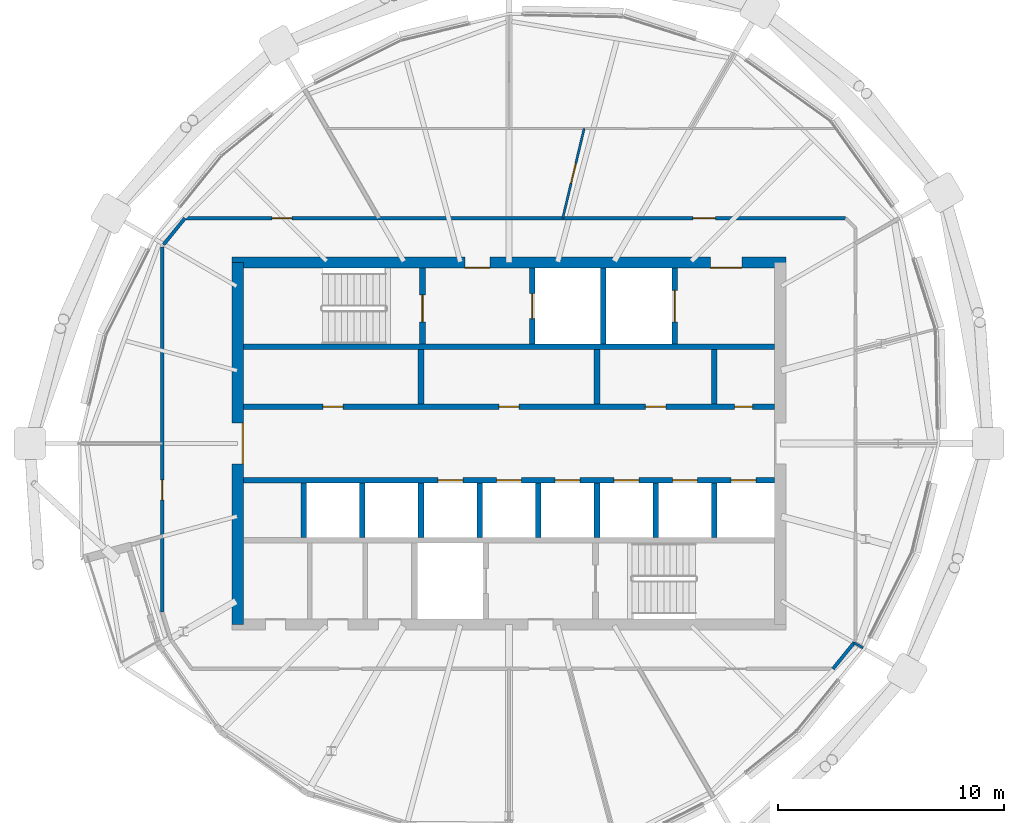
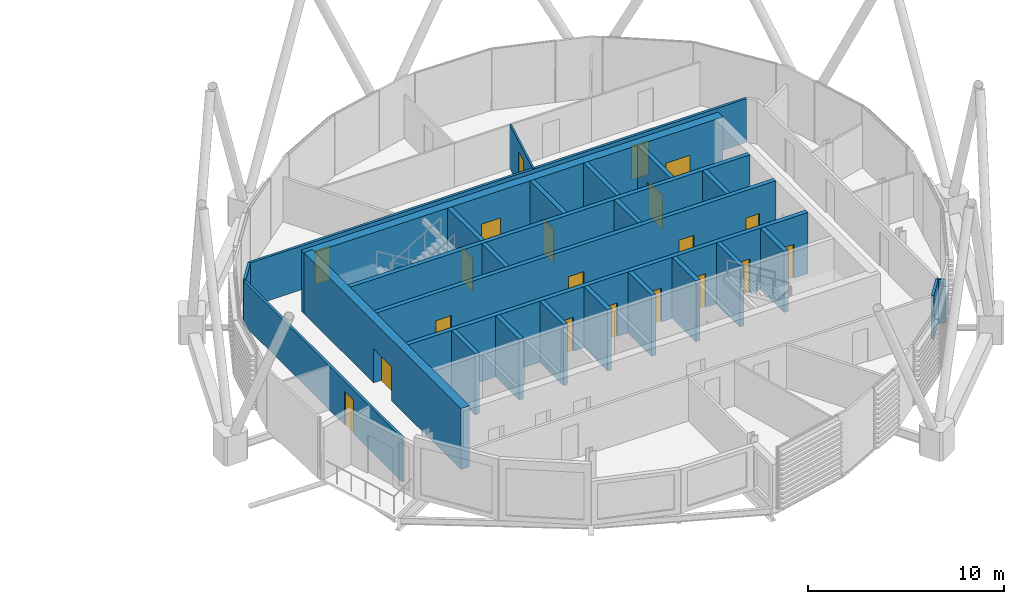
# One storey, part 22 of 31: 26 walls, 20 doors, 20 openings.
"""IFC4 building model written with IfcOpenShell, lengths in metres."""

from ifc_helpers import new_model, si_unit, direction, frame, frame_2d, origin, place, context, subcontext, project, spatial, rectangle, extrude, material, layer, layer_set, type_object, element, fill, save


model = new_model("IFC4")

# Units and contexts
model_context = context("Model", 3, precision=1e-05, world=origin(), true_north=direction((0.0, 1.0)))
body_context = subcontext(model_context, "Body", "Model", "MODEL_VIEW")
ifc_project = project(units=[si_unit("LENGTHUNIT", "METRE"), si_unit("AREAUNIT", "SQUARE_METRE"), si_unit("VOLUMEUNIT", "CUBIC_METRE"), si_unit("PLANEANGLEUNIT", "RADIAN"), si_unit("MASSUNIT", "GRAM", prefix="KILO")], contexts=[model_context])

# Site, building, storey
site_placement = place(None, origin())
site = spatial("IfcSite", under=ifc_project, at=site_placement, CompositionType="ELEMENT")
building_placement = place(site_placement, origin())
building = spatial("IfcBuilding", under=site, at=building_placement, Name="Rimbun Link Towers", CompositionType="ELEMENT")
storey_placement = place(building_placement, frame((0.0, 0.0, 244.699951171875)))
storey = spatial("IfcBuildingStorey", under=building, at=storey_placement, Name="L60", CompositionType="ELEMENT", Elevation=244.699951171875)

# Wall, openings, doors
ifc_material_1 = material(Name="Concrete C60/75", Category="concrete")
ifc_layer_1 = layer(ifc_material_1, 0.5)
ifc_layer_set_1 = layer_set([ifc_layer_1], Name="Core shear wall 500")
wall_type_1 = type_object("IfcWallType", Name="Core shear wall 500", PredefinedType="SHEAR", material=ifc_layer_set_1)
wall_1_placement = place(storey_placement, frame((19.5, 8.0, 0.0), z_axis=(0.0, 0.0, 1.0), x_axis=(1.0, 0.0, 0.0)))
wall_1 = element("IfcWall", 1, at=wall_1_placement, inside=storey, type_object=wall_type_1, Name="L60 T2 core wall N", PredefinedType="SHEAR", context=body_context, shape_type="SweptSolid", body=[
    extrude(rectangle(XDim=24.5, YDim=0.5, at=frame_2d((12.25, 0.0))), origin(), (0.0, 0.0, 1.0), 3.800048828125),
])
opening_1_placement = place(wall_1_placement, frame((10.300048828125, 0.0, 0.0)))
opening_1 = element("IfcOpeningElement", 2, at=opening_1_placement, cuts=wall_1, Name="Opening C2DCF01N", PredefinedType="OPENING", context=body_context, shape_type="SweptSolid", body=[
    extrude(rectangle(XDim=1.10009765625, YDim=2.10009765625, at=frame_2d((0.550048828125, 1.050048828125))), frame((0.0, 0.260009765625, 0.0), z_axis=(0.0, -1.0, 0.0), x_axis=(1.0, 0.0, 0.0)), (0.0, 0.0, 1.0), 0.52001953125),
])
opening_2_placement = place(wall_1_placement, frame((21.14990234375, 0.0, 0.0)))
opening_2 = element("IfcOpeningElement", 3, at=opening_2_placement, cuts=wall_1, Name="Opening C2DSL02N", PredefinedType="OPENING", context=body_context, shape_type="SweptSolid", body=[
    extrude(rectangle(XDim=1.39990234375, YDim=2.10009765625, at=frame_2d((0.699951171875, 1.050048828125))), frame((0.0, 0.260009765625, 0.0), z_axis=(0.0, -1.0, 0.0), x_axis=(1.0, 0.0, 0.0)), (0.0, 0.0, 1.0), 0.52001953125),
])
ifc_material_2 = material(Name="Steel fire door set", Category="steel")
door_type_1 = type_object("IfcDoorType", Name="Core fire door single", OperationType="SINGLE_SWING_LEFT", PredefinedType="DOOR", material=ifc_material_2)
door_1_placement = place(opening_1_placement, origin())
door_1 = element("IfcDoor", 4, at=door_1_placement, inside=storey, type_object=door_type_1, Name="L60 T2 firefighting lobby n door", OperationType="SINGLE_SWING_RIGHT", OverallHeight=2.10009765625, OverallWidth=1.10009765625, PredefinedType="DOOR", context=body_context, shape_type="SweptSolid", body=[
    extrude(rectangle(XDim=1.10009765625, YDim=2.10009765625, at=frame_2d((0.550048828125, 1.050048828125))), frame((0.0, -0.2001953125, 0.0), z_axis=(0.0, -1.0, 0.0), x_axis=(1.0, 0.0, 0.0)), (0.0, 0.0, 1.0), 0.050048828125),
])
fill(opening_1, door_1)
ifc_material_3 = material(Name="Steel fire door set", Category="steel")
door_type_2 = type_object("IfcDoorType", Name="Service lobby door double", OperationType="DOUBLE_DOOR_SINGLE_SWING", PredefinedType="DOOR", material=ifc_material_3)
door_2_placement = place(opening_2_placement, origin())
door_2 = element("IfcDoor", 5, at=door_2_placement, inside=storey, type_object=door_type_2, Name="L60 T2 service lobby door", OperationType="DOUBLE_DOOR_SINGLE_SWING", OverallHeight=2.10009765625, OverallWidth=1.39990234375, PredefinedType="DOOR", context=body_context, shape_type="SweptSolid", body=[
    extrude(rectangle(XDim=1.39990234375, YDim=2.10009765625, at=frame_2d((0.699951171875, 1.050048828125))), frame((0.0, -0.2001953125, 0.0), z_axis=(0.0, -1.0, 0.0), x_axis=(1.0, 0.0, 0.0)), (0.0, 0.0, 1.0), 0.050048828125),
])
fill(opening_2, door_2)

# Wall, opening, door
wall_2_placement = place(storey_placement, frame((19.75, -8.0, 0.0), z_axis=(0.0, 0.0, 1.0), x_axis=(0.0, 1.0, 0.0)))
wall_2 = element("IfcWall", 6, at=wall_2_placement, inside=storey, type_object=wall_type_1, Name="L60 T2 core wall W", PredefinedType="SHEAR", context=body_context, shape_type="SweptSolid", body=[
    extrude(rectangle(XDim=16.0, YDim=0.5, at=frame_2d((8.0, 0.0))), origin(), (0.0, 0.0, 1.0), 3.800048828125),
])
opening_3_placement = place(wall_2_placement, frame((7.10009765625, 0.0, 0.0)))
opening_3 = element("IfcOpeningElement", 7, at=opening_3_placement, cuts=wall_2, Name="Opening C2DCL01W", PredefinedType="OPENING", context=body_context, shape_type="SweptSolid", body=[
    extrude(rectangle(XDim=1.800048828125, YDim=2.10009765625, at=frame_2d((0.89990234375, 1.050048828125))), frame((0.0, 0.260009765625, 0.0), z_axis=(0.0, -1.0, 0.0), x_axis=(1.0, 0.0, 0.0)), (0.0, 0.0, 1.0), 0.52001953125),
])
ifc_material_4 = material(Name="Steel fire door set", Category="steel")
door_type_3 = type_object("IfcDoorType", Name="Core lobby door double", OperationType="DOUBLE_DOOR_SINGLE_SWING", PredefinedType="DOOR", material=ifc_material_4)
door_3_placement = place(opening_3_placement, origin())
door_3 = element("IfcDoor", 8, at=door_3_placement, inside=storey, type_object=door_type_3, Name="L60 T2 lift lobby door", OperationType="DOUBLE_DOOR_SINGLE_SWING", OverallHeight=2.10009765625, OverallWidth=1.800048828125, PredefinedType="DOOR", context=body_context, shape_type="SweptSolid", body=[
    extrude(rectangle(XDim=1.800048828125, YDim=2.10009765625, at=frame_2d((0.89990234375, 1.050048828125))), frame((0.0, -0.2001953125, 0.0), z_axis=(0.0, -1.0, 0.0), x_axis=(1.0, 0.0, 0.0)), (0.0, 0.0, 1.0), 0.050048828125),
])
fill(opening_3, door_3)

# Wall
ifc_material_5 = material(Name="Plasterboard on steel stud, mineral wool", Category="steel")
ifc_layer_2 = layer(ifc_material_5, 0.14990234375)
ifc_layer_set_2 = layer_set([ifc_layer_2], Name="Corridor wall EI 30 150 mm")
wall_type_2 = type_object("IfcWallType", Name="Corridor wall EI 30 150 mm", PredefinedType="PARTITIONING", material=ifc_layer_set_2)
wall_3_placement = place(storey_placement, frame((46.07568359375, -9.965087890625, 0.0), z_axis=(0.0, 0.0, 1.0), x_axis=(0.629146995638, 0.77728634227, 0.0)))
element("IfcWall", 9, at=wall_3_placement, inside=storey, type_object=wall_type_2, Name="Corridor wall EI 30 150 mm", PredefinedType="PARTITIONING", context=body_context, shape_type="SweptSolid", body=[
    extrude(rectangle(XDim=1.508056640625, YDim=0.14990234375, at=frame_2d((0.75390625, 0.0))), origin(), (0.0, 0.0, 1.0), 2.72216796875),
])

# Wall, opening, door
wall_4_placement = place(storey_placement, frame((16.425048828125, -7.4541015625, 0.0), z_axis=(0.0, 0.0, 1.0), x_axis=(0.0, 1.0, 0.0)))
wall_4 = element("IfcWall", 10, at=wall_4_placement, inside=storey, type_object=wall_type_2, Name="Corridor wall EI 30 150 mm", PredefinedType="PARTITIONING", context=body_context, shape_type="SweptSolid", body=[
    extrude(rectangle(XDim=16.146240234375, YDim=0.14990234375, at=frame_2d((8.0732421875, 0.0))), origin(), (0.0, 0.0, 1.0), 2.72216796875),
])
opening_4_placement = place(wall_4_placement, frame((4.950927734375, 0.0, 0.0)))
opening_4 = element("IfcOpeningElement", 11, at=opening_4_placement, cuts=wall_4, Name="Opening D02", PredefinedType="OPENING", context=body_context, shape_type="SweptSolid", body=[
    extrude(rectangle(XDim=0.89990234375, YDim=2.10009765625, at=frame_2d((0.449951171875, 1.050048828125))), frame((0.0, 0.0849609375, 0.0), z_axis=(0.0, -1.0, 0.0), x_axis=(1.0, 0.0, 0.0)), (0.0, 0.0, 1.0), 0.169921875),
])
ifc_material_6 = material(Name="Fire-resisting timber door leaf", Category="wood")
door_type_4 = type_object("IfcDoorType", Name="Fire door FD30S 900", OperationType="NOTDEFINED", PredefinedType="DOOR", material=ifc_material_6)
door_4_placement = place(opening_4_placement, origin())
door_4 = element("IfcDoor", 12, at=door_4_placement, inside=storey, type_object=door_type_4, Name="Fire door FD30S 900 to Meeting room", OperationType="SINGLE_SWING_LEFT", OverallHeight=2.10009765625, OverallWidth=0.89990234375, PredefinedType="DOOR", context=body_context, shape_type="SweptSolid", body=[
    extrude(rectangle(XDim=0.89990234375, YDim=2.10009765625, at=frame_2d((0.449951171875, 1.050048828125))), frame((0.0, 0.02490234375, 0.0), z_axis=(0.0, -1.0, 0.0), x_axis=(1.0, 0.0, 0.0)), (0.0, 0.0, 1.0), 0.050048828125),
])
fill(opening_4, door_4)

# Wall
wall_5_placement = place(storey_placement, frame((17.42431640625, 9.965087890625, 0.0), z_axis=(0.0, 0.0, 1.0), x_axis=(-0.629146995638, -0.77728634227, 0.0)))
element("IfcWall", 13, at=wall_5_placement, inside=storey, type_object=wall_type_2, Name="Corridor wall EI 30 150 mm", PredefinedType="PARTITIONING", context=body_context, shape_type="SweptSolid", body=[
    extrude(rectangle(XDim=1.508056640625, YDim=0.14990234375, at=frame_2d((0.75390625, 0.0))), origin(), (0.0, 0.0, 1.0), 2.72216796875),
])

# Wall, openings, doors
wall_6_placement = place(storey_placement, frame((17.42431640625, 9.965087890625, 0.0), z_axis=(0.0, 0.0, 1.0), x_axis=(1.0, 0.0, 0.0)))
wall_6 = element("IfcWall", 14, at=wall_6_placement, inside=storey, type_object=wall_type_2, Name="Corridor wall EI 30 150 mm", PredefinedType="PARTITIONING", context=body_context, shape_type="SweptSolid", body=[
    extrude(rectangle(XDim=29.20947265625, YDim=0.14990234375, at=frame_2d((14.604736328125, 0.0))), origin(), (0.0, 0.0, 1.0), 2.72216796875),
])
opening_5_placement = place(wall_6_placement, frame((22.456787109375, 0.0, 0.0)))
opening_5 = element("IfcOpeningElement", 15, at=opening_5_placement, cuts=wall_6, Name="Opening D01", PredefinedType="OPENING", context=body_context, shape_type="SweptSolid", body=[
    extrude(rectangle(XDim=1.0, YDim=2.10009765625, at=frame_2d((0.5, 1.050048828125))), frame((0.0, 0.0849609375, 0.0), z_axis=(0.0, -1.0, 0.0), x_axis=(1.0, 0.0, 0.0)), (0.0, 0.0, 1.0), 0.169921875),
])
opening_6_placement = place(wall_6_placement, frame((3.836181640625, 0.0, 0.0)))
opening_6 = element("IfcOpeningElement", 16, at=opening_6_placement, cuts=wall_6, Name="Opening D02", PredefinedType="OPENING", context=body_context, shape_type="SweptSolid", body=[
    extrude(rectangle(XDim=0.89990234375, YDim=2.10009765625, at=frame_2d((0.449951171875, 1.050048828125))), frame((0.0, 0.0849609375, 0.0), z_axis=(0.0, -1.0, 0.0), x_axis=(1.0, 0.0, 0.0)), (0.0, 0.0, 1.0), 0.169921875),
])
ifc_material_7 = material(Name="Fire-resisting timber door leaf", Category="wood")
door_type_5 = type_object("IfcDoorType", Name="Fire door FD30S 1000", OperationType="NOTDEFINED", PredefinedType="DOOR", material=ifc_material_7)
door_5_placement = place(opening_5_placement, origin())
door_5 = element("IfcDoor", 17, at=door_5_placement, inside=storey, type_object=door_type_5, Name="Fire door FD30S 1000 to Reception", OperationType="SINGLE_SWING_LEFT", OverallHeight=2.10009765625, OverallWidth=1.0, PredefinedType="DOOR", context=body_context, shape_type="SweptSolid", body=[
    extrude(rectangle(XDim=1.0, YDim=2.10009765625, at=frame_2d((0.5, 1.050048828125))), frame((0.0, 0.02490234375, 0.0), z_axis=(0.0, -1.0, 0.0), x_axis=(1.0, 0.0, 0.0)), (0.0, 0.0, 1.0), 0.050048828125),
])
fill(opening_5, door_5)
door_6_placement = place(opening_6_placement, origin())
door_6 = element("IfcDoor", 18, at=door_6_placement, inside=storey, type_object=door_type_4, Name="Fire door FD30S 900 to Boardroom", OperationType="SINGLE_SWING_RIGHT", OverallHeight=2.10009765625, OverallWidth=0.89990234375, PredefinedType="DOOR", context=body_context, shape_type="SweptSolid", body=[
    extrude(rectangle(XDim=0.89990234375, YDim=2.10009765625, at=frame_2d((0.449951171875, 1.050048828125))), frame((0.0, 0.02490234375, 0.0), z_axis=(0.0, -1.0, 0.0), x_axis=(1.0, 0.0, 0.0)), (0.0, 0.0, 1.0), 0.050048828125),
])
fill(opening_6, door_6)

# Wall
ifc_material_8 = material(Name="Plasterboard on steel stud", Category="steel")
ifc_layer_3 = layer(ifc_material_8, 0.10009765625)
ifc_layer_set_3 = layer_set([ifc_layer_3], Name="Plasterboard partition 100 mm")
wall_type_3 = type_object("IfcWallType", Name="Plasterboard partition 100 mm", PredefinedType="PARTITIONING", material=ifc_layer_set_3)
wall_7_placement = place(storey_placement, frame((47.40478515625, -9.038330078125, 0.0), z_axis=(0.0, 0.0, 1.0), x_axis=(-0.866158831638, 0.499768824934, 0.0)))
element("IfcWall", 19, at=wall_7_placement, inside=storey, type_object=wall_type_3, Name="Plasterboard partition 100 mm", PredefinedType="PARTITIONING", context=body_context, shape_type="SweptSolid", body=[
    extrude(rectangle(XDim=0.455810546875, YDim=0.10009765625, at=frame_2d((0.22802734375, 0.0))), origin(), (0.0, 0.0, 1.0), 2.72216796875),
])

# Wall, opening, door
wall_8_placement = place(storey_placement, frame((34.128662109375, 9.965087890625, 0.0), z_axis=(0.0, 0.0, 1.0), x_axis=(0.232193393639, 0.972669639677, 0.0)))
wall_8 = element("IfcWall", 20, at=wall_8_placement, inside=storey, type_object=wall_type_3, Name="Plasterboard partition 100 mm", PredefinedType="PARTITIONING", context=body_context, shape_type="SweptSolid", body=[
    extrude(rectangle(XDim=4.0712890625, YDim=0.10009765625, at=frame_2d((2.03564453125, 0.0))), origin(), (0.0, 0.0, 1.0), 2.72216796875),
])
opening_7_placement = place(wall_8_placement, frame((1.585693359375, 0.0, 0.0)))
opening_7 = element("IfcOpeningElement", 21, at=opening_7_placement, cuts=wall_8, Name="Opening D04", PredefinedType="OPENING", context=body_context, shape_type="SweptSolid", body=[
    extrude(rectangle(XDim=0.89990234375, YDim=2.10009765625, at=frame_2d((0.449951171875, 1.050048828125))), frame((0.0, 0.06005859375, 0.0), z_axis=(0.0, -1.0, 0.0), x_axis=(1.0, 0.0, 0.0)), (0.0, 0.0, 1.0), 0.1201171875),
])
ifc_material_9 = material(Name="Timber door leaf", Category="wood")
door_type_6 = type_object("IfcDoorType", Name="Flush door 900", OperationType="NOTDEFINED", PredefinedType="DOOR", material=ifc_material_9)
door_7_placement = place(opening_7_placement, origin())
door_7 = element("IfcDoor", 22, at=door_7_placement, inside=storey, type_object=door_type_6, Name="Flush door 900 to Meeting room", OperationType="SINGLE_SWING_LEFT", OverallHeight=2.10009765625, OverallWidth=0.89990234375, PredefinedType="DOOR", context=body_context, shape_type="SweptSolid", body=[
    extrude(rectangle(XDim=0.89990234375, YDim=2.10009765625, at=frame_2d((0.449951171875, 1.050048828125))), frame((0.0, 0.02490234375, 0.0), z_axis=(0.0, -1.0, 0.0), x_axis=(1.0, 0.0, 0.0)), (0.0, 0.0, 1.0), 0.050048828125),
])
fill(opening_7, door_7)

# Wall
ifc_material_10 = material(Name="Concrete C60/75", Category="concrete")
ifc_layer_4 = layer(ifc_material_10, 0.25)
ifc_layer_set_4 = layer_set([ifc_layer_4], Name="Shaft wall 250")
wall_type_4 = type_object("IfcWallType", Name="Shaft wall 250", PredefinedType="SHEAR", material=ifc_layer_set_4)
wall_9_placement = place(storey_placement, frame((20.0, 4.27490234375, 0.0), z_axis=(0.0, 0.0, 1.0), x_axis=(1.0, 0.0, 0.0)))
element("IfcWall", 23, at=wall_9_placement, inside=storey, type_object=wall_type_4, Name="L60 T2 core wall BN", PredefinedType="SHEAR", context=body_context, shape_type="SweptSolid", body=[
    extrude(rectangle(XDim=23.5, YDim=0.25, at=frame_2d((11.75, 0.0))), origin(), (0.0, 0.0, 1.0), 3.800048828125),
])

# Wall, openings, doors
wall_10_placement = place(storey_placement, frame((20.0, 1.625, 0.0), z_axis=(0.0, 0.0, 1.0), x_axis=(1.0, 0.0, 0.0)))
wall_10 = element("IfcWall", 24, at=wall_10_placement, inside=storey, type_object=wall_type_4, Name="L60 T2 core wall FN", PredefinedType="SHEAR", context=body_context, shape_type="SweptSolid", body=[
    extrude(rectangle(XDim=23.5, YDim=0.25, at=frame_2d((11.75, 0.0))), origin(), (0.0, 0.0, 1.0), 3.800048828125),
])
opening_8_placement = place(wall_10_placement, frame((3.5166015625, 0.0, 0.0)))
opening_8 = element("IfcOpeningElement", 25, at=opening_8_placement, cuts=wall_10, Name="Opening C2DRS01FN", PredefinedType="OPENING", context=body_context, shape_type="SweptSolid", body=[
    extrude(rectangle(XDim=0.89990234375, YDim=2.10009765625, at=frame_2d((0.449951171875, 1.050048828125))), frame((0.0, 0.135009765625, 0.0), z_axis=(0.0, -1.0, 0.0), x_axis=(1.0, 0.0, 0.0)), (0.0, 0.0, 1.0), 0.27001953125),
])
opening_9_placement = place(wall_10_placement, frame((11.300048828125, 0.0, 0.0)))
opening_9 = element("IfcOpeningElement", 26, at=opening_9_placement, cuts=wall_10, Name="Opening C2DRS02FN", PredefinedType="OPENING", context=body_context, shape_type="SweptSolid", body=[
    extrude(rectangle(XDim=0.89990234375, YDim=2.10009765625, at=frame_2d((0.449951171875, 1.050048828125))), frame((0.0, 0.135009765625, 0.0), z_axis=(0.0, -1.0, 0.0), x_axis=(1.0, 0.0, 0.0)), (0.0, 0.0, 1.0), 0.27001953125),
])
opening_10_placement = place(wall_10_placement, frame((17.7861328125, 0.0, 0.0)))
opening_10 = element("IfcOpeningElement", 27, at=opening_10_placement, cuts=wall_10, Name="Opening C2DRS03FN", PredefinedType="OPENING", context=body_context, shape_type="SweptSolid", body=[
    extrude(rectangle(XDim=0.89990234375, YDim=2.10009765625, at=frame_2d((0.449951171875, 1.050048828125))), frame((0.0, 0.135009765625, 0.0), z_axis=(0.0, -1.0, 0.0), x_axis=(1.0, 0.0, 0.0)), (0.0, 0.0, 1.0), 0.27001953125),
])
opening_11_placement = place(wall_10_placement, frame((21.727783203125, 0.0, 0.0)))
opening_11 = element("IfcOpeningElement", 28, at=opening_11_placement, cuts=wall_10, Name="Opening C2DRA04FN", PredefinedType="OPENING", context=body_context, shape_type="SweptSolid", body=[
    extrude(rectangle(XDim=0.800048828125, YDim=2.10009765625, at=frame_2d((0.39990234375, 1.050048828125))), frame((0.0, 0.135009765625, 0.0), z_axis=(0.0, -1.0, 0.0), x_axis=(1.0, 0.0, 0.0)), (0.0, 0.0, 1.0), 0.27001953125),
])
ifc_material_11 = material(Name="Steel fire door set", Category="steel")
door_type_7 = type_object("IfcDoorType", Name="Core riser door", OperationType="SINGLE_SWING_LEFT", PredefinedType="DOOR", material=ifc_material_11)
door_8_placement = place(opening_8_placement, origin())
door_8 = element("IfcDoor", 29, at=door_8_placement, inside=storey, type_object=door_type_7, Name="L60 T2 plant room door", OperationType="SINGLE_SWING_LEFT", OverallHeight=2.10009765625, OverallWidth=0.89990234375, PredefinedType="DOOR", context=body_context, shape_type="SweptSolid", body=[
    extrude(rectangle(XDim=0.89990234375, YDim=2.10009765625, at=frame_2d((0.449951171875, 1.050048828125))), frame((0.0, 0.02490234375, 0.0), z_axis=(0.0, -1.0, 0.0), x_axis=(1.0, 0.0, 0.0)), (0.0, 0.0, 1.0), 0.050048828125),
])
fill(opening_8, door_8)
door_9_placement = place(opening_9_placement, origin())
door_9 = element("IfcDoor", 30, at=door_9_placement, inside=storey, type_object=door_type_7, Name="L60 T2 wellness room door", OperationType="SINGLE_SWING_LEFT", OverallHeight=2.10009765625, OverallWidth=0.89990234375, PredefinedType="DOOR", context=body_context, shape_type="SweptSolid", body=[
    extrude(rectangle(XDim=0.89990234375, YDim=2.10009765625, at=frame_2d((0.449951171875, 1.050048828125))), frame((0.0, 0.02490234375, 0.0), z_axis=(0.0, -1.0, 0.0), x_axis=(1.0, 0.0, 0.0)), (0.0, 0.0, 1.0), 0.050048828125),
])
fill(opening_9, door_9)
door_10_placement = place(opening_10_placement, origin())
door_10 = element("IfcDoor", 31, at=door_10_placement, inside=storey, type_object=door_type_7, Name="L60 T2 pantry door", OperationType="SINGLE_SWING_RIGHT", OverallHeight=2.10009765625, OverallWidth=0.89990234375, PredefinedType="DOOR", context=body_context, shape_type="SweptSolid", body=[
    extrude(rectangle(XDim=0.89990234375, YDim=2.10009765625, at=frame_2d((0.449951171875, 1.050048828125))), frame((0.0, 0.02490234375, 0.0), z_axis=(0.0, -1.0, 0.0), x_axis=(1.0, 0.0, 0.0)), (0.0, 0.0, 1.0), 0.050048828125),
])
fill(opening_10, door_10)
ifc_material_12 = material(Name="Steel fire door set", Category="steel")
door_type_8 = type_object("IfcDoorType", Name="Riser access door 800 x 2100", OperationType="SINGLE_SWING_LEFT", PredefinedType="DOOR", material=ifc_material_12)
door_11_placement = place(opening_11_placement, origin())
door_11 = element("IfcDoor", 32, at=door_11_placement, inside=storey, type_object=door_type_8, Name="L60 T2 riser cupboard door", OperationType="SINGLE_SWING_LEFT", OverallHeight=2.10009765625, OverallWidth=0.800048828125, PredefinedType="DOOR", context=body_context, shape_type="SweptSolid", body=[
    extrude(rectangle(XDim=0.800048828125, YDim=2.10009765625, at=frame_2d((0.39990234375, 1.050048828125))), frame((0.0, 0.02490234375, 0.0), z_axis=(0.0, -1.0, 0.0), x_axis=(1.0, 0.0, 0.0)), (0.0, 0.0, 1.0), 0.050048828125),
])
fill(opening_11, door_11)

wall_11_placement = place(storey_placement, frame((20.0, -1.625, 0.0), z_axis=(0.0, 0.0, 1.0), x_axis=(1.0, 0.0, 0.0)))
wall_11 = element("IfcWall", 33, at=wall_11_placement, inside=storey, type_object=wall_type_4, Name="L60 T2 core wall FS", PredefinedType="SHEAR", context=body_context, shape_type="SweptSolid", body=[
    extrude(rectangle(XDim=23.5, YDim=0.25, at=frame_2d((11.75, 0.0))), origin(), (0.0, 0.0, 1.0), 3.800048828125),
])
opening_12_placement = place(wall_11_placement, frame((8.605712890625, 0.0, 0.0)))
opening_12 = element("IfcOpeningElement", 34, at=opening_12_placement, cuts=wall_11, Name="Opening LD-T2-HR1", PredefinedType="OPENING", context=body_context, shape_type="SweptSolid", body=[
    extrude(rectangle(XDim=1.10009765625, YDim=2.10009765625, at=frame_2d((0.550048828125, 1.050048828125))), frame((0.0, 0.135009765625, 0.0), z_axis=(0.0, -1.0, 0.0), x_axis=(1.0, 0.0, 0.0)), (0.0, 0.0, 1.0), 0.27001953125),
])
opening_13_placement = place(wall_11_placement, frame((11.199951171875, 0.0, 0.0)))
opening_13 = element("IfcOpeningElement", 35, at=opening_13_placement, cuts=wall_11, Name="Opening LD-T2-HR2", PredefinedType="OPENING", context=body_context, shape_type="SweptSolid", body=[
    extrude(rectangle(XDim=1.10009765625, YDim=2.10009765625, at=frame_2d((0.550048828125, 1.050048828125))), frame((0.0, 0.135009765625, 0.0), z_axis=(0.0, -1.0, 0.0), x_axis=(1.0, 0.0, 0.0)), (0.0, 0.0, 1.0), 0.27001953125),
])
opening_14_placement = place(wall_11_placement, frame((13.79443359375, 0.0, 0.0)))
opening_14 = element("IfcOpeningElement", 36, at=opening_14_placement, cuts=wall_11, Name="Opening LD-T2-HR3", PredefinedType="OPENING", context=body_context, shape_type="SweptSolid", body=[
    extrude(rectangle(XDim=1.10009765625, YDim=2.10009765625, at=frame_2d((0.550048828125, 1.050048828125))), frame((0.0, 0.135009765625, 0.0), z_axis=(0.0, -1.0, 0.0), x_axis=(1.0, 0.0, 0.0)), (0.0, 0.0, 1.0), 0.27001953125),
])
opening_15_placement = place(wall_11_placement, frame((16.388916015625, 0.0, 0.0)))
opening_15 = element("IfcOpeningElement", 37, at=opening_15_placement, cuts=wall_11, Name="Opening LD-T2-HR4", PredefinedType="OPENING", context=body_context, shape_type="SweptSolid", body=[
    extrude(rectangle(XDim=1.10009765625, YDim=2.10009765625, at=frame_2d((0.550048828125, 1.050048828125))), frame((0.0, 0.135009765625, 0.0), z_axis=(0.0, -1.0, 0.0), x_axis=(1.0, 0.0, 0.0)), (0.0, 0.0, 1.0), 0.27001953125),
])
opening_16_placement = place(wall_11_placement, frame((18.9833984375, 0.0, 0.0)))
opening_16 = element("IfcOpeningElement", 38, at=opening_16_placement, cuts=wall_11, Name="Opening LD-T2-HR5", PredefinedType="OPENING", context=body_context, shape_type="SweptSolid", body=[
    extrude(rectangle(XDim=1.10009765625, YDim=2.10009765625, at=frame_2d((0.550048828125, 1.050048828125))), frame((0.0, 0.135009765625, 0.0), z_axis=(0.0, -1.0, 0.0), x_axis=(1.0, 0.0, 0.0)), (0.0, 0.0, 1.0), 0.27001953125),
])
opening_17_placement = place(wall_11_placement, frame((21.577880859375, 0.0, 0.0)))
opening_17 = element("IfcOpeningElement", 39, at=opening_17_placement, cuts=wall_11, Name="Opening LD-T2-HR6", PredefinedType="OPENING", context=body_context, shape_type="SweptSolid", body=[
    extrude(rectangle(XDim=1.10009765625, YDim=2.10009765625, at=frame_2d((0.550048828125, 1.050048828125))), frame((0.0, 0.135009765625, 0.0), z_axis=(0.0, -1.0, 0.0), x_axis=(1.0, 0.0, 0.0)), (0.0, 0.0, 1.0), 0.27001953125),
])
ifc_material_13 = material(Name="Stainless steel grade 316", Category="steel")
door_type_9 = type_object("IfcDoorType", Name="Lift landing door", OperationType="DOUBLE_DOOR_SLIDING", PredefinedType="DOOR", material=ifc_material_13)
door_12_placement = place(opening_12_placement, origin())
door_12 = element("IfcDoor", 40, at=door_12_placement, inside=storey, type_object=door_type_9, Name="L60 T2 lift HR1 landing door", OperationType="DOUBLE_DOOR_SLIDING", OverallHeight=2.10009765625, OverallWidth=1.10009765625, PredefinedType="DOOR", context=body_context, shape_type="SweptSolid", body=[
    extrude(rectangle(XDim=1.10009765625, YDim=2.10009765625, at=frame_2d((0.550048828125, 1.050048828125))), frame((0.0, 0.02490234375, 0.0), z_axis=(0.0, -1.0, 0.0), x_axis=(1.0, 0.0, 0.0)), (0.0, 0.0, 1.0), 0.050048828125),
])
fill(opening_12, door_12)
door_13_placement = place(opening_13_placement, origin())
door_13 = element("IfcDoor", 41, at=door_13_placement, inside=storey, type_object=door_type_9, Name="L60 T2 lift HR2 landing door", OperationType="DOUBLE_DOOR_SLIDING", OverallHeight=2.10009765625, OverallWidth=1.10009765625, PredefinedType="DOOR", context=body_context, shape_type="SweptSolid", body=[
    extrude(rectangle(XDim=1.10009765625, YDim=2.10009765625, at=frame_2d((0.550048828125, 1.050048828125))), frame((0.0, 0.02490234375, 0.0), z_axis=(0.0, -1.0, 0.0), x_axis=(1.0, 0.0, 0.0)), (0.0, 0.0, 1.0), 0.050048828125),
])
fill(opening_13, door_13)
door_14_placement = place(opening_14_placement, origin())
door_14 = element("IfcDoor", 42, at=door_14_placement, inside=storey, type_object=door_type_9, Name="L60 T2 lift HR3 landing door", OperationType="DOUBLE_DOOR_SLIDING", OverallHeight=2.10009765625, OverallWidth=1.10009765625, PredefinedType="DOOR", context=body_context, shape_type="SweptSolid", body=[
    extrude(rectangle(XDim=1.10009765625, YDim=2.10009765625, at=frame_2d((0.550048828125, 1.050048828125))), frame((0.0, 0.02490234375, 0.0), z_axis=(0.0, -1.0, 0.0), x_axis=(1.0, 0.0, 0.0)), (0.0, 0.0, 1.0), 0.050048828125),
])
fill(opening_14, door_14)
door_15_placement = place(opening_15_placement, origin())
door_15 = element("IfcDoor", 43, at=door_15_placement, inside=storey, type_object=door_type_9, Name="L60 T2 lift HR4 landing door", OperationType="DOUBLE_DOOR_SLIDING", OverallHeight=2.10009765625, OverallWidth=1.10009765625, PredefinedType="DOOR", context=body_context, shape_type="SweptSolid", body=[
    extrude(rectangle(XDim=1.10009765625, YDim=2.10009765625, at=frame_2d((0.550048828125, 1.050048828125))), frame((0.0, 0.02490234375, 0.0), z_axis=(0.0, -1.0, 0.0), x_axis=(1.0, 0.0, 0.0)), (0.0, 0.0, 1.0), 0.050048828125),
])
fill(opening_15, door_15)
door_16_placement = place(opening_16_placement, origin())
door_16 = element("IfcDoor", 44, at=door_16_placement, inside=storey, type_object=door_type_9, Name="L60 T2 lift HR5 landing door", OperationType="DOUBLE_DOOR_SLIDING", OverallHeight=2.10009765625, OverallWidth=1.10009765625, PredefinedType="DOOR", context=body_context, shape_type="SweptSolid", body=[
    extrude(rectangle(XDim=1.10009765625, YDim=2.10009765625, at=frame_2d((0.550048828125, 1.050048828125))), frame((0.0, 0.02490234375, 0.0), z_axis=(0.0, -1.0, 0.0), x_axis=(1.0, 0.0, 0.0)), (0.0, 0.0, 1.0), 0.050048828125),
])
fill(opening_16, door_16)
door_17_placement = place(opening_17_placement, origin())
door_17 = element("IfcDoor", 45, at=door_17_placement, inside=storey, type_object=door_type_9, Name="L60 T2 lift HR6 landing door", OperationType="DOUBLE_DOOR_SLIDING", OverallHeight=2.10009765625, OverallWidth=1.10009765625, PredefinedType="DOOR", context=body_context, shape_type="SweptSolid", body=[
    extrude(rectangle(XDim=1.10009765625, YDim=2.10009765625, at=frame_2d((0.550048828125, 1.050048828125))), frame((0.0, 0.02490234375, 0.0), z_axis=(0.0, -1.0, 0.0), x_axis=(1.0, 0.0, 0.0)), (0.0, 0.0, 1.0), 0.050048828125),
])
fill(opening_17, door_17)

# Walls
for number, where, z_axis, x_axis, name in (
    (46, (27.8583984375, 1.75, 0.0), (0.0, 0.0, 1.0), (0.0, 1.0, 0.0), "L60 T2 core wall DN2"),
    (47, (35.6416015625, 1.75, 0.0), (0.0, 0.0, 1.0), (0.0, 1.0, 0.0), "L60 T2 core wall DN5"),
    (48, (40.83056640625, 1.75, 0.0), (0.0, 0.0, 1.0), (0.0, 1.0, 0.0), "L60 T2 core wall DN7"),
    (49, (22.66943359375, -4.14990234375, 0.0), (0.0, 0.0, 1.0), (0.0, 1.0, 0.0), "L60 T2 core wall DS0"),
    (50, (25.263916015625, -4.14990234375, 0.0), (0.0, 0.0, 1.0), (0.0, 1.0, 0.0), "L60 T2 core wall DS1"),
    (51, (27.8583984375, -4.14990234375, 0.0), (0.0, 0.0, 1.0), (0.0, 1.0, 0.0), "L60 T2 core wall DS2"),
    (52, (30.452880859375, -4.14990234375, 0.0), (0.0, 0.0, 1.0), (0.0, 1.0, 0.0), "L60 T2 core wall DS3"),
    (53, (33.047119140625, -4.14990234375, 0.0), (0.0, 0.0, 1.0), (0.0, 1.0, 0.0), "L60 T2 core wall DS4"),
    (54, (35.6416015625, -4.14990234375, 0.0), (0.0, 0.0, 1.0), (0.0, 1.0, 0.0), "L60 T2 core wall DS5"),
    (55, (38.236083984375, -4.14990234375, 0.0), (0.0, 0.0, 1.0), (0.0, 1.0, 0.0), "L60 T2 core wall DS6"),
    (56, (40.83056640625, -4.14990234375, 0.0), (0.0, 0.0, 1.0), (0.0, 1.0, 0.0), "L60 T2 core wall DS7"),
):
    element("IfcWall", number, at=place(storey_placement, frame(where, z_axis=z_axis, x_axis=x_axis)), inside=storey, type_object=wall_type_4, Name=name, PredefinedType="SHEAR", context=body_context, shape_type="SweptSolid", body=[
        extrude(rectangle(XDim=2.39990234375, YDim=0.25, at=frame_2d((1.199951171875, 0.0))), origin(), (0.0, 0.0, 1.0), 3.800048828125),
    ])

# Wall, opening, door
wall_12_placement = place(storey_placement, frame((27.925048828125, 4.39990234375, 0.0), z_axis=(0.0, 0.0, 1.0), x_axis=(0.0, 1.0, 0.0)))
wall_12 = element("IfcWall", 57, at=wall_12_placement, inside=storey, type_object=wall_type_4, Name="L60 T2 core wall A1", PredefinedType="SHEAR", context=body_context, shape_type="SweptSolid", body=[
    extrude(rectangle(XDim=3.35009765625, YDim=0.25, at=frame_2d((1.675048828125, 0.0))), origin(), (0.0, 0.0, 1.0), 3.800048828125),
])
opening_18_placement = place(wall_12_placement, frame((0.97509765625, 0.0, 0.0)))
opening_18 = element("IfcOpeningElement", 58, at=opening_18_placement, cuts=wall_12, Name="Opening C2DST01A1", PredefinedType="OPENING", context=body_context, shape_type="SweptSolid", body=[
    extrude(rectangle(XDim=1.199951171875, YDim=2.10009765625, at=frame_2d((0.60009765625, 1.050048828125))), frame((0.0, 0.135009765625, 0.0), z_axis=(0.0, -1.0, 0.0), x_axis=(1.0, 0.0, 0.0)), (0.0, 0.0, 1.0), 0.27001953125),
])
ifc_material_14 = material(Name="Steel fire door set", Category="steel")
door_type_10 = type_object("IfcDoorType", Name="Stair door", OperationType="SINGLE_SWING_LEFT", PredefinedType="DOOR", material=ifc_material_14)
door_18_placement = place(opening_18_placement, origin())
door_18 = element("IfcDoor", 59, at=door_18_placement, inside=storey, type_object=door_type_10, Name="L60 T2 stair a door", OperationType="SINGLE_SWING_RIGHT", OverallHeight=2.10009765625, OverallWidth=1.199951171875, PredefinedType="DOOR", context=body_context, shape_type="SweptSolid", body=[
    extrude(rectangle(XDim=1.199951171875, YDim=2.10009765625, at=frame_2d((0.60009765625, 1.050048828125))), frame((0.0, 0.02490234375, 0.0), z_axis=(0.0, -1.0, 0.0), x_axis=(1.0, 0.0, 0.0)), (0.0, 0.0, 1.0), 0.050048828125),
])
fill(opening_18, door_18)

wall_13_placement = place(storey_placement, frame((32.77490234375, 4.39990234375, 0.0), z_axis=(0.0, 0.0, 1.0), x_axis=(0.0, 1.0, 0.0)))
wall_13 = element("IfcWall", 60, at=wall_13_placement, inside=storey, type_object=wall_type_4, Name="L60 T2 core wall A2", PredefinedType="SHEAR", context=body_context, shape_type="SweptSolid", body=[
    extrude(rectangle(XDim=3.35009765625, YDim=0.25, at=frame_2d((1.675048828125, 0.0))), origin(), (0.0, 0.0, 1.0), 3.800048828125),
])
opening_19_placement = place(wall_13_placement, frame((1.125, 0.0, 0.0)))
opening_19 = element("IfcOpeningElement", 61, at=opening_19_placement, cuts=wall_13, Name="Opening LD-T2-FF1", PredefinedType="OPENING", context=body_context, shape_type="SweptSolid", body=[
    extrude(rectangle(XDim=1.10009765625, YDim=2.10009765625, at=frame_2d((0.550048828125, 1.050048828125))), frame((0.0, 0.135009765625, 0.0), z_axis=(0.0, -1.0, 0.0), x_axis=(1.0, 0.0, 0.0)), (0.0, 0.0, 1.0), 0.27001953125),
])
door_19_placement = place(opening_19_placement, origin())
door_19 = element("IfcDoor", 62, at=door_19_placement, inside=storey, type_object=door_type_9, Name="L60 T2 lift FF1 landing door", OperationType="DOUBLE_DOOR_SLIDING", OverallHeight=2.10009765625, OverallWidth=1.10009765625, PredefinedType="DOOR", context=body_context, shape_type="SweptSolid", body=[
    extrude(rectangle(XDim=1.10009765625, YDim=2.10009765625, at=frame_2d((0.550048828125, 1.050048828125))), frame((0.0, 0.02490234375, 0.0), z_axis=(0.0, -1.0, 0.0), x_axis=(1.0, 0.0, 0.0)), (0.0, 0.0, 1.0), 0.050048828125),
])
fill(opening_19, door_19)

# Wall
wall_14_placement = place(storey_placement, frame((35.925048828125, 4.39990234375, 0.0), z_axis=(0.0, 0.0, 1.0), x_axis=(0.0, 1.0, 0.0)))
element("IfcWall", 63, at=wall_14_placement, inside=storey, type_object=wall_type_4, Name="L60 T2 core wall A3", PredefinedType="SHEAR", context=body_context, shape_type="SweptSolid", body=[
    extrude(rectangle(XDim=3.35009765625, YDim=0.25, at=frame_2d((1.675048828125, 0.0))), origin(), (0.0, 0.0, 1.0), 3.800048828125),
])

# Wall, opening, door
wall_15_placement = place(storey_placement, frame((39.074951171875, 4.39990234375, 0.0), z_axis=(0.0, 0.0, 1.0), x_axis=(0.0, 1.0, 0.0)))
wall_15 = element("IfcWall", 64, at=wall_15_placement, inside=storey, type_object=wall_type_4, Name="L60 T2 core wall A4", PredefinedType="SHEAR", context=body_context, shape_type="SweptSolid", body=[
    extrude(rectangle(XDim=3.35009765625, YDim=0.25, at=frame_2d((1.675048828125, 0.0))), origin(), (0.0, 0.0, 1.0), 3.800048828125),
])
opening_20_placement = place(wall_15_placement, frame((0.97509765625, 0.0, 0.0)))
opening_20 = element("IfcOpeningElement", 65, at=opening_20_placement, cuts=wall_15, Name="Opening LD-T2-GL1", PredefinedType="OPENING", context=body_context, shape_type="SweptSolid", body=[
    extrude(rectangle(XDim=1.39990234375, YDim=2.10009765625, at=frame_2d((0.699951171875, 1.050048828125))), frame((0.0, 0.135009765625, 0.0), z_axis=(0.0, -1.0, 0.0), x_axis=(1.0, 0.0, 0.0)), (0.0, 0.0, 1.0), 0.27001953125),
])
ifc_material_15 = material(Name="Stainless steel grade 316", Category="steel")
door_type_11 = type_object("IfcDoorType", Name="Goods lift landing door", OperationType="DOUBLE_DOOR_SLIDING", PredefinedType="DOOR", material=ifc_material_15)
door_20_placement = place(opening_20_placement, origin())
door_20 = element("IfcDoor", 66, at=door_20_placement, inside=storey, type_object=door_type_11, Name="L60 T2 lift GL1 landing door", OperationType="DOUBLE_DOOR_SLIDING", OverallHeight=2.10009765625, OverallWidth=1.39990234375, PredefinedType="DOOR", context=body_context, shape_type="SweptSolid", body=[
    extrude(rectangle(XDim=1.39990234375, YDim=2.10009765625, at=frame_2d((0.699951171875, 1.050048828125))), frame((0.0, 0.02490234375, 0.0), z_axis=(0.0, -1.0, 0.0), x_axis=(1.0, 0.0, 0.0)), (0.0, 0.0, 1.0), 0.050048828125),
])
fill(opening_20, door_20)

save(model, "model.ifc")
